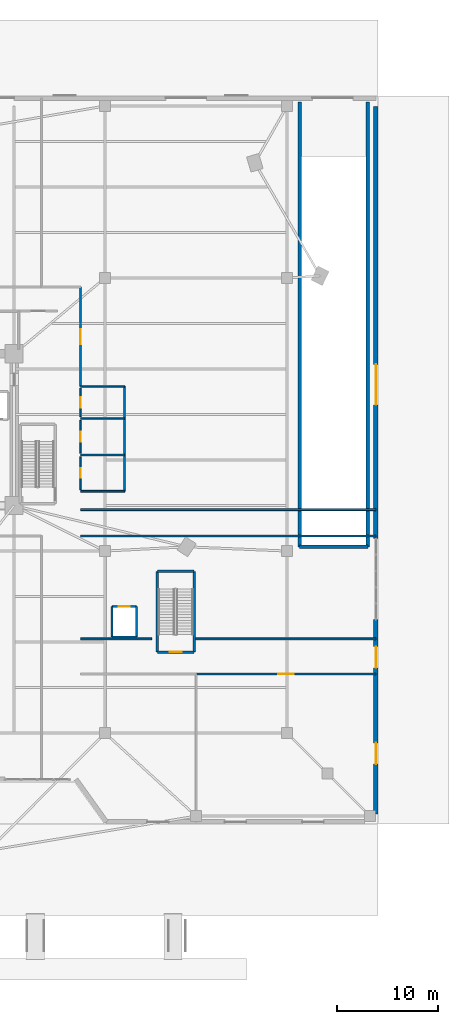
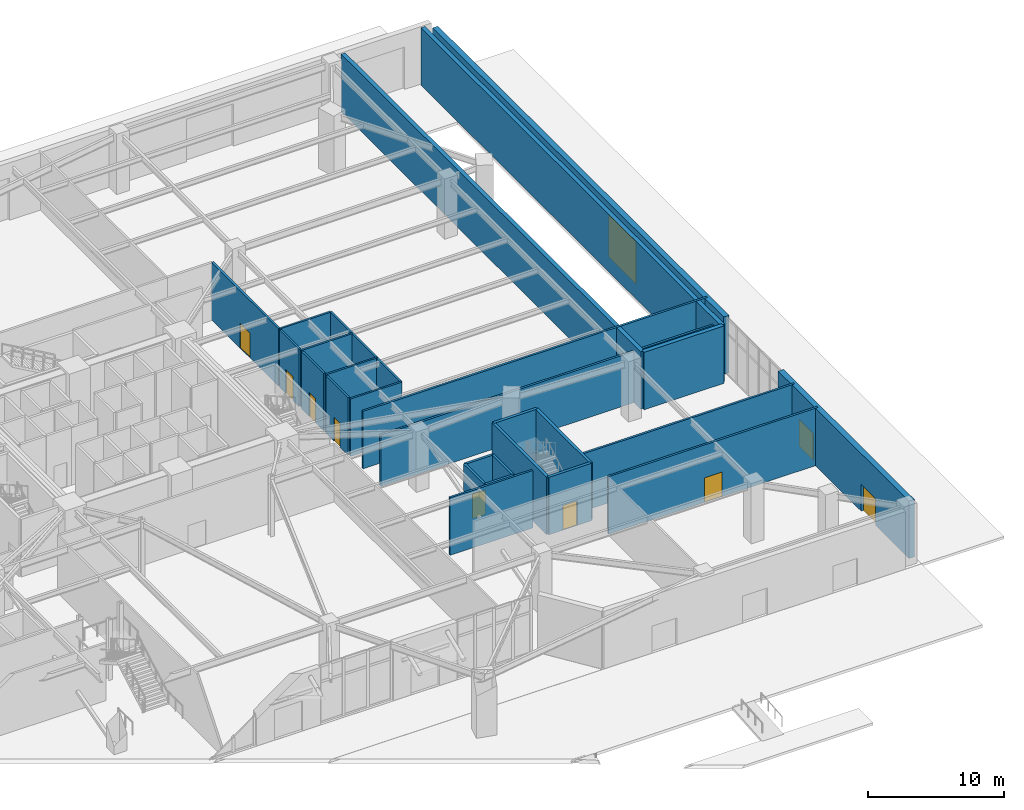
# One storey, part 20 of 30: 27 walls, 10 doors, 10 openings.
"""IFC4 building model written with IfcOpenShell, lengths in metres."""

from ifc_helpers import new_model, si_unit, direction, frame, frame_2d, origin, place, context, subcontext, project, spatial, rectangle, extrude, source, transform, mapped, material, layer, layer_set, type_object, element, fill, save


model = new_model("IFC4")

# Units and contexts
model_context = context("Model", 3, precision=1e-05, world=origin(), true_north=direction((0.0, 1.0)))
body_context = subcontext(model_context, "Body", "Model", "MODEL_VIEW")
ifc_project = project(units=[si_unit("LENGTHUNIT", "METRE"), si_unit("AREAUNIT", "SQUARE_METRE"), si_unit("VOLUMEUNIT", "CUBIC_METRE"), si_unit("PLANEANGLEUNIT", "RADIAN"), si_unit("MASSUNIT", "GRAM", prefix="KILO")], contexts=[model_context])

# Site, building, storey
site_placement = place(None, origin())
site = spatial("IfcSite", under=ifc_project, at=site_placement, CompositionType="ELEMENT")
building_placement = place(site_placement, origin())
building = spatial("IfcBuilding", under=site, at=building_placement, Name="Liaohun Quay Tower", CompositionType="ELEMENT")
storey_placement = place(building_placement, origin())
storey = spatial("IfcBuildingStorey", under=building, at=storey_placement, Name="L01", CompositionType="ELEMENT", Elevation=0.0)

# Walls
ifc_material_1 = material(Name="Concrete C50", Category="concrete")
ifc_layer_1 = layer(ifc_material_1, 0.35009765625, Name="Concrete C50", Category="concrete")
ifc_layer_set_1 = layer_set([ifc_layer_1], Name="Concrete C50")
wall_type_1 = type_object("IfcWallType", Name="WAL-COR-INT", PredefinedType="SOLIDWALL", material=ifc_layer_set_1)
wall_1_placement = place(storey_placement, frame((97.219970703125, 42.419921875, 0.0), z_axis=(0.0, 0.0, 1.0), x_axis=(0.0, 1.0, 0.0)))
element("IfcWall", 1, at=wall_1_placement, inside=storey, type_object=wall_type_1, Name="L01 Vehicle Ramp Fire Enclosure Wall W", PredefinedType="SOLIDWALL", context=body_context, shape_type="SweptSolid", body=[
    extrude(rectangle(XDim=43.97998046875, YDim=0.35009765625, at=frame_2d((21.989990234375, 0.0))), origin(), (0.0, 0.0, 1.0), 5.14990234375),
])
wall_2_placement = place(storey_placement, frame((97.219970703125, 42.419921875, 0.0), z_axis=(0.0, 0.0, 1.0), x_axis=(1.0, 0.0, 0.0)))
element("IfcWall", 2, at=wall_2_placement, inside=storey, type_object=wall_type_1, Name="L01 Vehicle Ramp Fire Enclosure Wall S", PredefinedType="SOLIDWALL", context=body_context, shape_type="SweptSolid", body=[
    extrude(rectangle(XDim=6.760009765625, YDim=0.35009765625, at=frame_2d((3.3798828125, 0.0))), origin(), (0.0, 0.0, 1.0), 5.14990234375),
])
wall_3_placement = place(storey_placement, frame((103.97998046875, 42.419921875, 0.0), z_axis=(0.0, 0.0, 1.0), x_axis=(0.0, 1.0, 0.0)))
element("IfcWall", 3, at=wall_3_placement, inside=storey, type_object=wall_type_1, Name="L01 Vehicle Ramp Fire Enclosure Wall E", PredefinedType="SOLIDWALL", context=body_context, shape_type="SweptSolid", body=[
    extrude(rectangle(XDim=43.97998046875, YDim=0.35009765625, at=frame_2d((21.989990234375, 0.0))), origin(), (0.0, 0.0, 1.0), 5.14990234375),
])

# Wall, openings, doors
ifc_material_2 = material(Name="Precast concrete C50 with granite facing", Category="masonry")
ifc_layer_2 = layer(ifc_material_2, 0.4599609375, Name="Precast concrete C50 with granite facing", Category="masonry")
ifc_layer_set_2 = layer_set([ifc_layer_2], Name="Precast concrete C50 with granite facing")
wall_type_2 = type_object("IfcWallType", Name="WAL-EXT-POD", PredefinedType="SOLIDWALL", material=ifc_layer_set_2)
wall_4_placement = place(storey_placement, frame((104.77001953125, 16.030029296875, 0.0), z_axis=(0.0, 0.0, 1.0), x_axis=(0.0, 1.0, 0.0)))
wall_4 = element("IfcWall", 4, at=wall_4_placement, inside=storey, type_object=wall_type_2, Name="L01 Podium Precast Facade Wall 5-1", PredefinedType="SOLIDWALL", context=body_context, shape_type="SweptSolid", body=[
    extrude(rectangle(XDim=19.199951171875, YDim=0.4599609375, at=frame_2d((9.60009765625, 0.0))), origin(), (0.0, 0.0, 1.0), 5.14990234375),
])
shared_shape_1 = source(origin(), body_context, "Body", "SweptSolid", [
    extrude(rectangle(XDim=2.10009765625, YDim=2.39990234375, at=frame_2d((1.050048828125, 1.199951171875))), frame((0.0, 0.239990234375, 0.0), z_axis=(0.0, -1.0, 0.0), x_axis=(1.0, 0.0, 0.0)), (0.0, 0.0, 1.0), 0.47998046875),
])
opening_1_placement = place(wall_4_placement, frame((4.919921875, 0.0, 0.0)))
opening_1 = element("IfcOpeningElement", 5, at=opening_1_placement, cuts=wall_4, Name="Opening EX", PredefinedType="OPENING", context=body_context, shape_type="MappedRepresentation", body=[
    mapped(shared_shape_1, transform((0.0, 0.0, 0.0), x_axis=(1.0, 0.0, 0.0), y_axis=(0.0, 1.0, 0.0), z_axis=(0.0, 0.0, 1.0), scale=1.0)),
])
opening_2_placement = place(wall_4_placement, frame((14.419921875, 0.0, 0.0)))
opening_2 = element("IfcOpeningElement", 6, at=opening_2_placement, cuts=wall_4, Name="Opening EX", PredefinedType="OPENING", context=body_context, shape_type="MappedRepresentation", body=[
    mapped(shared_shape_1, transform((0.0, 0.0, 0.0), x_axis=(1.0, 0.0, 0.0), y_axis=(0.0, 1.0, 0.0), z_axis=(0.0, 0.0, 1.0), scale=1.0)),
])
ifc_material_3 = material(Name="Thermally broken glazed steel", Category="steel")
door_type_1 = type_object("IfcDoorType", Name="DOR-EXIT-2100", OperationType="DOUBLE_DOOR_SINGLE_SWING", PredefinedType="DOOR", material=ifc_material_3)
shared_shape_2 = source(origin(), body_context, "Body", "SweptSolid", [
    extrude(rectangle(XDim=2.10009765625, YDim=2.39990234375, at=frame_2d((1.050048828125, 1.199951171875))), frame((0.0, 0.02490234375, 0.0), z_axis=(0.0, -1.0, 0.0), x_axis=(1.0, 0.0, 0.0)), (0.0, 0.0, 1.0), 0.050048828125),
])
door_1_placement = place(opening_1_placement, frame((2.10009765625, 0.0, 0.0), z_axis=(0.0, 0.0, 1.0), x_axis=(-1.0, 0.0, 0.0)))
door_1 = element("IfcDoor", 7, at=door_1_placement, inside=storey, type_object=door_type_1, Name="L01 East Exit Discharge Door 1", OperationType="DOUBLE_DOOR_SINGLE_SWING", OverallHeight=2.39990234375, OverallWidth=2.10009765625, PredefinedType="DOOR", context=body_context, shape_type="MappedRepresentation", body=[
    mapped(shared_shape_2, transform((0.0, 0.0, 0.0), x_axis=(1.0, 0.0, 0.0), y_axis=(0.0, 1.0, 0.0), z_axis=(0.0, 0.0, 1.0), scale=1.0)),
])
fill(opening_1, door_1)
door_2_placement = place(opening_2_placement, frame((2.10009765625, 0.0, 0.0), z_axis=(0.0, 0.0, 1.0), x_axis=(-1.0, 0.0, 0.0)))
door_2 = element("IfcDoor", 8, at=door_2_placement, inside=storey, type_object=door_type_1, Name="L01 East Exit Discharge Door 2", OperationType="DOUBLE_DOOR_SINGLE_SWING", OverallHeight=2.39990234375, OverallWidth=2.10009765625, PredefinedType="DOOR", context=body_context, shape_type="MappedRepresentation", body=[
    mapped(shared_shape_2, transform((0.0, 0.0, 0.0), x_axis=(1.0, 0.0, 0.0), y_axis=(0.0, 1.0, 0.0), z_axis=(0.0, 0.0, 1.0), scale=1.0)),
])
fill(opening_2, door_2)

# Wall, opening, door
wall_5_placement = place(storey_placement, frame((104.77001953125, 43.22998046875, 0.0), z_axis=(0.0, 0.0, 1.0), x_axis=(0.0, 1.0, 0.0)))
wall_5 = element("IfcWall", 9, at=wall_5_placement, inside=storey, type_object=wall_type_2, Name="L01 Podium Precast Facade Wall 5-2", PredefinedType="SOLIDWALL", context=body_context, shape_type="SweptSolid", body=[
    extrude(rectangle(XDim=42.739990234375, YDim=0.4599609375, at=frame_2d((21.3701171875, 0.0))), origin(), (0.0, 0.0, 1.0), 5.14990234375),
])
shared_shape_3 = source(origin(), body_context, "Body", "SweptSolid", [
    extrude(rectangle(XDim=4.0, YDim=3.800048828125, at=frame_2d((2.0, 1.89990234375))), frame((0.0, 0.239990234375, 0.0), z_axis=(0.0, -1.0, 0.0), x_axis=(1.0, 0.0, 0.0)), (0.0, 0.0, 1.0), 0.47998046875),
])
opening_3_placement = place(wall_5_placement, frame((13.22998046875, 0.0, 0.0)))
opening_3 = element("IfcOpeningElement", 10, at=opening_3_placement, cuts=wall_5, Name="Opening GD1", PredefinedType="OPENING", context=body_context, shape_type="MappedRepresentation", body=[
    mapped(shared_shape_3, transform((0.0, 0.0, 0.0), x_axis=(1.0, 0.0, 0.0), y_axis=(0.0, 1.0, 0.0), z_axis=(0.0, 0.0, 1.0), scale=1.0)),
])
ifc_material_4 = material(Name="Insulated motorised steel roller shutter", Category="steel")
door_type_2 = type_object("IfcDoorType", Name="DOR-LDK-4000", OperationType="ROLLINGUP", PredefinedType="GATE", material=ifc_material_4)
shared_shape_4 = source(origin(), body_context, "Body", "SweptSolid", [
    extrude(rectangle(XDim=4.0, YDim=3.800048828125, at=frame_2d((2.0, 1.89990234375))), frame((0.0, 0.02490234375, 0.0), z_axis=(0.0, -1.0, 0.0), x_axis=(1.0, 0.0, 0.0)), (0.0, 0.0, 1.0), 0.050048828125),
])
door_3_placement = place(opening_3_placement, origin())
door_3 = element("IfcDoor", 11, at=door_3_placement, inside=storey, type_object=door_type_2, Name="L01 Enclosed Loading Bay Roller Shutter Gate", OperationType="ROLLINGUP", OverallHeight=3.800048828125, OverallWidth=4.0, PredefinedType="GATE", context=body_context, shape_type="MappedRepresentation", body=[
    mapped(shared_shape_4, transform((0.0, 0.0, 0.0), x_axis=(1.0, 0.0, 0.0), y_axis=(0.0, 1.0, 0.0), z_axis=(0.0, 0.0, 1.0), scale=1.0)),
])
fill(opening_3, door_3)

ifc_material_5 = material(Name="Autoclaved aerated concrete blockwork", Category="masonry")
ifc_layer_3 = layer(ifc_material_5, 0.179931640625, Name="Autoclaved aerated concrete blockwork", Category="masonry")
ifc_layer_set_3 = layer_set([ifc_layer_3], Name="Autoclaved aerated concrete blockwork")
wall_type_3 = type_object("IfcWallType", Name="WAL-PRT-COR", PredefinedType="PARTITIONING", material=ifc_layer_set_3)
wall_6_placement = place(storey_placement, frame((87.0, 29.85009765625, 0.0), z_axis=(0.0, 0.0, 1.0), x_axis=(1.0, 0.0, 0.0)))
wall_6 = element("IfcWall", 12, at=wall_6_placement, inside=storey, type_object=wall_type_3, Name="L01 Interior Partition Wall 012", PredefinedType="PARTITIONING", context=body_context, shape_type="SweptSolid", body=[
    extrude(rectangle(XDim=17.77490234375, YDim=0.179931640625, at=frame_2d((8.887451171875, 0.0))), origin(), (0.0, 0.0, 1.0), 5.14990234375),
])
shared_shape_5 = source(origin(), body_context, "Body", "SweptSolid", [
    extrude(rectangle(XDim=1.5, YDim=2.199951171875, at=frame_2d((0.75, 1.10009765625))), frame((0.0, 0.099853515625, 0.0), z_axis=(0.0, -1.0, 0.0), x_axis=(1.0, 0.0, 0.0)), (0.0, 0.0, 1.0), 0.199951171875),
])
opening_4_placement = place(wall_6_placement, frame((8.137939453125, 0.0, 0.0)))
opening_4 = element("IfcOpeningElement", 13, at=opening_4_placement, cuts=wall_6, Name="Opening OD2", PredefinedType="OPENING", context=body_context, shape_type="MappedRepresentation", body=[
    mapped(shared_shape_5, transform((0.0, 0.0, 0.0), x_axis=(1.0, 0.0, 0.0), y_axis=(0.0, 1.0, 0.0), z_axis=(0.0, 0.0, 1.0), scale=1.0)),
])
ifc_material_6 = material(Name="Acoustic oak veneer double door")
door_type_3 = type_object("IfcDoorType", Name="DOR-OFF-1500", OperationType="DOUBLE_DOOR_SINGLE_SWING", PredefinedType="DOOR", material=ifc_material_6)
shared_shape_6 = source(origin(), body_context, "Body", "SweptSolid", [
    extrude(rectangle(XDim=1.5, YDim=2.199951171875, at=frame_2d((0.75, 1.10009765625))), frame((0.0, 0.02490234375, 0.0), z_axis=(0.0, -1.0, 0.0), x_axis=(1.0, 0.0, 0.0)), (0.0, 0.0, 1.0), 0.050048828125),
])
door_4_placement = place(opening_4_placement, origin())
door_4 = element("IfcDoor", 14, at=door_4_placement, inside=storey, type_object=door_type_3, Name="L01 Riverfront Retail Showroom East Door", OperationType="DOUBLE_DOOR_SINGLE_SWING", OverallHeight=2.199951171875, OverallWidth=1.5, PredefinedType="DOOR", context=body_context, shape_type="MappedRepresentation", body=[
    mapped(shared_shape_6, transform((0.0, 0.0, 0.0), x_axis=(1.0, 0.0, 0.0), y_axis=(0.0, 1.0, 0.0), z_axis=(0.0, 0.0, 1.0), scale=1.0)),
])
fill(opening_4, door_4)

wall_7_placement = place(storey_placement, frame((75.580078125, 58.280029296875, 0.0), z_axis=(0.0, 0.0, 1.0), x_axis=(0.0, 1.0, 0.0)))
wall_7 = element("IfcWall", 15, at=wall_7_placement, inside=storey, type_object=wall_type_3, Name="L01 Interior Partition Wall 014", PredefinedType="PARTITIONING", context=body_context, shape_type="SweptSolid", body=[
    extrude(rectangle(XDim=9.820068359375, YDim=0.179931640625, at=frame_2d((4.91015625, 0.0))), origin(), (0.0, 0.0, 1.0), 5.14990234375),
])
opening_5_placement = place(wall_7_placement, frame((4.159912109375, 0.0, 0.0)))
opening_5 = element("IfcOpeningElement", 16, at=opening_5_placement, cuts=wall_7, Name="Opening OD2", PredefinedType="OPENING", context=body_context, shape_type="MappedRepresentation", body=[
    mapped(shared_shape_5, transform((0.0, 0.0, 0.0), x_axis=(1.0, 0.0, 0.0), y_axis=(0.0, 1.0, 0.0), z_axis=(0.0, 0.0, 1.0), scale=1.0)),
])
door_5_placement = place(opening_5_placement, origin())
door_5 = element("IfcDoor", 17, at=door_5_placement, inside=storey, type_object=door_type_3, Name="L01 Observation Shuttle Ticketing Foyer Door", OperationType="DOUBLE_DOOR_SINGLE_SWING", OverallHeight=2.199951171875, OverallWidth=1.5, PredefinedType="DOOR", context=body_context, shape_type="MappedRepresentation", body=[
    mapped(shared_shape_6, transform((0.0, 0.0, 0.0), x_axis=(1.0, 0.0, 0.0), y_axis=(0.0, 1.0, 0.0), z_axis=(0.0, 0.0, 1.0), scale=1.0)),
])
fill(opening_5, door_5)

# Walls
wall_8_placement = place(storey_placement, frame((75.580078125, 46.10009765625, 0.0), z_axis=(0.0, 0.0, 1.0), x_axis=(1.0, 0.0, 0.0)))
element("IfcWall", 18, at=wall_8_placement, inside=storey, type_object=wall_type_3, Name="L01 Interior Partition Wall 025", PredefinedType="PARTITIONING", context=body_context, shape_type="SweptSolid", body=[
    extrude(rectangle(XDim=29.19482421875, YDim=0.179931640625, at=frame_2d((14.597412109375, 0.0))), origin(), (0.0, 0.0, 1.0), 5.14990234375),
])
wall_9_placement = place(storey_placement, frame((75.580078125, 43.5, 0.0), z_axis=(0.0, 0.0, 1.0), x_axis=(1.0, 0.0, 0.0)))
element("IfcWall", 19, at=wall_9_placement, inside=storey, type_object=wall_type_3, Name="L01 Interior Partition Wall 032", PredefinedType="PARTITIONING", context=body_context, shape_type="SweptSolid", body=[
    extrude(rectangle(XDim=29.19482421875, YDim=0.179931640625, at=frame_2d((14.597412109375, 0.0))), origin(), (0.0, 0.0, 1.0), 4.5849609375),
])
wall_10_placement = place(storey_placement, frame((75.580078125, 33.320068359375, 0.0), z_axis=(0.0, 0.0, 1.0), x_axis=(1.0, 0.0, 0.0)))
element("IfcWall", 20, at=wall_10_placement, inside=storey, type_object=wall_type_3, Name="L01 Interior Partition Wall 037", PredefinedType="PARTITIONING", context=body_context, shape_type="SweptSolid", body=[
    extrude(rectangle(XDim=7.02001953125, YDim=0.179931640625, at=frame_2d((3.510009765625, 0.0))), origin(), (0.0, 0.0, 1.0), 5.14990234375),
])
wall_11_placement = place(storey_placement, frame((86.699951171875, 33.320068359375, 0.0), z_axis=(0.0, 0.0, 1.0), x_axis=(1.0, 0.0, 0.0)))
element("IfcWall", 21, at=wall_11_placement, inside=storey, type_object=wall_type_3, Name="L01 Interior Partition Wall 038", PredefinedType="PARTITIONING", context=body_context, shape_type="SweptSolid", body=[
    extrude(rectangle(XDim=18.074951171875, YDim=0.179931640625, at=frame_2d((9.03759765625, 0.0))), origin(), (0.0, 0.0, 1.0), 5.14990234375),
])

# Wall, opening, door
ifc_material_7 = material(Name="Moisture-resistant masonry blockwork", Category="masonry")
ifc_layer_4 = layer(ifc_material_7, 0.159912109375, Name="Moisture-resistant masonry blockwork", Category="masonry")
ifc_layer_set_4 = layer_set([ifc_layer_4], Name="Moisture-resistant masonry blockwork")
wall_type_4 = type_object("IfcWallType", Name="WAL-PRT-WET", PredefinedType="PARTITIONING", material=ifc_layer_set_4)
wall_12_placement = place(storey_placement, frame((75.580078125, 48.080078125, 0.0), z_axis=(0.0, 0.0, 1.0), x_axis=(0.0, 1.0, 0.0)))
wall_12 = element("IfcWall", 22, at=wall_12_placement, inside=storey, type_object=wall_type_4, Name="L01 Interior Partition Wall 002", PredefinedType="PARTITIONING", context=body_context, shape_type="SweptSolid", body=[
    extrude(rectangle(XDim=3.239990234375, YDim=0.159912109375, at=frame_2d((1.6201171875, 0.0))), origin(), (0.0, 0.0, 1.0), 5.14990234375),
])
shared_shape_7 = source(origin(), body_context, "Body", "SweptSolid", [
    extrude(rectangle(XDim=0.949951171875, YDim=2.14990234375, at=frame_2d((0.47509765625, 1.074951171875))), frame((0.0, 0.08984375, 0.0), z_axis=(0.0, -1.0, 0.0), x_axis=(1.0, 0.0, 0.0)), (0.0, 0.0, 1.0), 0.179931640625),
])
opening_6_placement = place(wall_12_placement, frame((1.14501953125, 0.0, 0.0)))
opening_6 = element("IfcOpeningElement", 23, at=opening_6_placement, cuts=wall_12, Name="Opening WD1", PredefinedType="OPENING", context=body_context, shape_type="MappedRepresentation", body=[
    mapped(shared_shape_7, transform((0.0, 0.0, 0.0), x_axis=(1.0, 0.0, 0.0), y_axis=(0.0, 1.0, 0.0), z_axis=(0.0, 0.0, 1.0), scale=1.0)),
])
ifc_material_8 = material(Name="Moisture-resistant laminate timber leaf", Category="wood")
door_type_4 = type_object("IfcDoorType", Name="DOR-WC-950", OperationType="NOTDEFINED", PredefinedType="DOOR", material=ifc_material_8)
shared_shape_8 = source(origin(), body_context, "Body", "SweptSolid", [
    extrude(rectangle(XDim=0.949951171875, YDim=2.14990234375, at=frame_2d((0.47509765625, 1.074951171875))), frame((0.0, 0.02490234375, 0.0), z_axis=(0.0, -1.0, 0.0), x_axis=(1.0, 0.0, 0.0)), (0.0, 0.0, 1.0), 0.050048828125),
])
door_6_placement = place(opening_6_placement, origin())
door_6 = element("IfcDoor", 24, at=door_6_placement, inside=storey, type_object=door_type_4, Name="L01 Podium Male Restroom WC Door", OperationType="SINGLE_SWING_LEFT", OverallHeight=2.14990234375, OverallWidth=0.949951171875, PredefinedType="DOOR", context=body_context, shape_type="MappedRepresentation", body=[
    mapped(shared_shape_8, transform((0.0, 0.0, 0.0), x_axis=(1.0, 0.0, 0.0), y_axis=(0.0, 1.0, 0.0), z_axis=(0.0, 0.0, 1.0), scale=1.0)),
])
fill(opening_6, door_6)

wall_13_placement = place(storey_placement, frame((75.580078125, 51.679931640625, 0.0), z_axis=(0.0, 0.0, 1.0), x_axis=(0.0, 1.0, 0.0)))
wall_13 = element("IfcWall", 25, at=wall_13_placement, inside=storey, type_object=wall_type_4, Name="L01 Interior Partition Wall 003", PredefinedType="PARTITIONING", context=body_context, shape_type="SweptSolid", body=[
    extrude(rectangle(XDim=3.239990234375, YDim=0.159912109375, at=frame_2d((1.6201171875, 0.0))), origin(), (0.0, 0.0, 1.0), 5.14990234375),
])
opening_7_placement = place(wall_13_placement, frame((1.14501953125, 0.0, 0.0)))
opening_7 = element("IfcOpeningElement", 26, at=opening_7_placement, cuts=wall_13, Name="Opening WD1", PredefinedType="OPENING", context=body_context, shape_type="MappedRepresentation", body=[
    mapped(shared_shape_7, transform((0.0, 0.0, 0.0), x_axis=(1.0, 0.0, 0.0), y_axis=(0.0, 1.0, 0.0), z_axis=(0.0, 0.0, 1.0), scale=1.0)),
])
door_7_placement = place(opening_7_placement, origin())
door_7 = element("IfcDoor", 27, at=door_7_placement, inside=storey, type_object=door_type_4, Name="L01 Podium Female Restroom WC Door", OperationType="SINGLE_SWING_RIGHT", OverallHeight=2.14990234375, OverallWidth=0.949951171875, PredefinedType="DOOR", context=body_context, shape_type="MappedRepresentation", body=[
    mapped(shared_shape_8, transform((0.0, 0.0, 0.0), x_axis=(1.0, 0.0, 0.0), y_axis=(0.0, 1.0, 0.0), z_axis=(0.0, 0.0, 1.0), scale=1.0)),
])
fill(opening_7, door_7)

wall_14_placement = place(storey_placement, frame((75.580078125, 55.280029296875, 0.0), z_axis=(0.0, 0.0, 1.0), x_axis=(0.0, 1.0, 0.0)))
wall_14 = element("IfcWall", 28, at=wall_14_placement, inside=storey, type_object=wall_type_4, Name="L01 Interior Partition Wall 004", PredefinedType="PARTITIONING", context=body_context, shape_type="SweptSolid", body=[
    extrude(rectangle(XDim=2.840087890625, YDim=0.159912109375, at=frame_2d((1.419921875, 0.0))), origin(), (0.0, 0.0, 1.0), 5.14990234375),
])
shared_shape_9 = source(origin(), body_context, "Body", "SweptSolid", [
    extrude(rectangle(XDim=1.050048828125, YDim=2.14990234375, at=frame_2d((0.52490234375, 1.074951171875))), frame((0.0, 0.08984375, 0.0), z_axis=(0.0, -1.0, 0.0), x_axis=(1.0, 0.0, 0.0)), (0.0, 0.0, 1.0), 0.179931640625),
])
opening_8_placement = place(wall_14_placement, frame((0.89501953125, 0.0, 0.0)))
opening_8 = element("IfcOpeningElement", 29, at=opening_8_placement, cuts=wall_14, Name="Opening WD2", PredefinedType="OPENING", context=body_context, shape_type="MappedRepresentation", body=[
    mapped(shared_shape_9, transform((0.0, 0.0, 0.0), x_axis=(1.0, 0.0, 0.0), y_axis=(0.0, 1.0, 0.0), z_axis=(0.0, 0.0, 1.0), scale=1.0)),
])
ifc_material_9 = material(Name="Accessible outward-swinging laminate door")
door_type_5 = type_object("IfcDoorType", Name="DOR-AWC-1050", OperationType="NOTDEFINED", PredefinedType="DOOR", material=ifc_material_9)
shared_shape_10 = source(origin(), body_context, "Body", "SweptSolid", [
    extrude(rectangle(XDim=1.050048828125, YDim=2.14990234375, at=frame_2d((0.52490234375, 1.074951171875))), frame((0.0, 0.02490234375, 0.0), z_axis=(0.0, -1.0, 0.0), x_axis=(1.0, 0.0, 0.0)), (0.0, 0.0, 1.0), 0.050048828125),
])
door_8_placement = place(opening_8_placement, origin())
door_8 = element("IfcDoor", 30, at=door_8_placement, inside=storey, type_object=door_type_5, Name="L01 Podium Accessible WC Door", OperationType="SINGLE_SWING_LEFT", OverallHeight=2.14990234375, OverallWidth=1.050048828125, PredefinedType="DOOR", context=body_context, shape_type="MappedRepresentation", body=[
    mapped(shared_shape_10, transform((0.0, 0.0, 0.0), x_axis=(1.0, 0.0, 0.0), y_axis=(0.0, 1.0, 0.0), z_axis=(0.0, 0.0, 1.0), scale=1.0)),
])
fill(opening_8, door_8)

# Walls
wall_15_placement = place(storey_placement, frame((79.919921875, 47.919921875, 0.0), z_axis=(0.0, 0.0, 1.0), x_axis=(0.0, 1.0, 0.0)))
element("IfcWall", 31, at=wall_15_placement, inside=storey, type_object=wall_type_4, Name="L01 Interior Partition Wall 019", PredefinedType="PARTITIONING", context=body_context, shape_type="SweptSolid", body=[
    extrude(rectangle(XDim=10.360107421875, YDim=0.159912109375, at=frame_2d((5.18017578125, 0.0))), origin(), (0.0, 0.0, 1.0), 5.14990234375),
])
for number, where, z_axis, x_axis, name in (
    (32, (75.580078125, 47.919921875, 0.0), (0.0, 0.0, 1.0), (1.0, 0.0, 0.0), "L01 Interior Partition Wall 020"),
    (33, (75.580078125, 51.5, 0.0), (0.0, 0.0, 1.0), (1.0, 0.0, 0.0), "L01 Interior Partition Wall 021"),
    (34, (75.580078125, 55.10009765625, 0.0), (0.0, 0.0, 1.0), (1.0, 0.0, 0.0), "L01 Interior Partition Wall 022"),
    (35, (75.580078125, 58.280029296875, 0.0), (0.0, 0.0, 1.0), (1.0, 0.0, 0.0), "L01 Interior Partition Wall 023"),
):
    element("IfcWall", number, at=place(storey_placement, frame(where, z_axis=z_axis, x_axis=x_axis)), inside=storey, type_object=wall_type_4, Name=name, PredefinedType="PARTITIONING", context=body_context, shape_type="SweptSolid", body=[
        extrude(rectangle(XDim=4.33984375, YDim=0.159912109375, at=frame_2d((2.169921875, 0.0))), origin(), (0.0, 0.0, 1.0), 5.14990234375),
    ])

# Wall, opening, door
ifc_layer_5 = layer(ifc_material_1, 0.239990234375, Name="Concrete C50", Category="concrete")
ifc_layer_set_5 = layer_set([ifc_layer_5], Name="Concrete C50")
wall_type_5 = type_object("IfcWallType", Name="WAL-SHF-200", PredefinedType="SOLIDWALL", material=ifc_layer_set_5)
wall_16_placement = place(storey_placement, frame((83.159912109375, 32.0, 0.0), z_axis=(0.0, 0.0, 1.0), x_axis=(1.0, 0.0, 0.0)))
wall_16 = element("IfcWall", 36, at=wall_16_placement, inside=storey, type_object=wall_type_5, Name="L01 Stairwell ST-P2 Structural Core Wall S", PredefinedType="SOLIDWALL", context=body_context, shape_type="SweptSolid", body=[
    extrude(rectangle(XDim=3.64013671875, YDim=0.239990234375, at=frame_2d((1.820068359375, 0.0))), origin(), (0.0, 0.0, 1.0), 5.14990234375),
])
shared_shape_11 = source(origin(), body_context, "Body", "SweptSolid", [
    extrude(rectangle(XDim=1.199951171875, YDim=2.199951171875, at=frame_2d((0.60009765625, 1.10009765625))), frame((0.0, 0.1298828125, 0.0), z_axis=(0.0, -1.0, 0.0), x_axis=(1.0, 0.0, 0.0)), (0.0, 0.0, 1.0), 0.260009765625),
])
opening_9_placement = place(wall_16_placement, frame((1.219970703125, 0.0, 0.0)))
opening_9 = element("IfcOpeningElement", 37, at=opening_9_placement, cuts=wall_16, Name="Opening SD1", PredefinedType="OPENING", context=body_context, shape_type="MappedRepresentation", body=[
    mapped(shared_shape_11, transform((0.0, 0.0, 0.0), x_axis=(1.0, 0.0, 0.0), y_axis=(0.0, 1.0, 0.0), z_axis=(0.0, 0.0, 1.0), scale=1.0)),
])
ifc_material_10 = material(Name="Galvanised steel fire door", Category="steel")
door_type_6 = type_object("IfcDoorType", Name="DOR-STR-1200", OperationType="NOTDEFINED", PredefinedType="DOOR", material=ifc_material_10)
shared_shape_12 = source(origin(), body_context, "Body", "SweptSolid", [
    extrude(rectangle(XDim=1.199951171875, YDim=2.199951171875, at=frame_2d((0.60009765625, 1.10009765625))), frame((0.0, 0.02490234375, 0.0), z_axis=(0.0, -1.0, 0.0), x_axis=(1.0, 0.0, 0.0)), (0.0, 0.0, 1.0), 0.050048828125),
])
door_9_placement = place(opening_9_placement, origin())
door_9 = element("IfcDoor", 38, at=door_9_placement, inside=storey, type_object=door_type_6, Name="L01 Protected Stair ST-P2 Fire Door", OperationType="SINGLE_SWING_RIGHT", OverallHeight=2.199951171875, OverallWidth=1.199951171875, PredefinedType="DOOR", context=body_context, shape_type="MappedRepresentation", body=[
    mapped(shared_shape_12, transform((0.0, 0.0, 0.0), x_axis=(1.0, 0.0, 0.0), y_axis=(0.0, 1.0, 0.0), z_axis=(0.0, 0.0, 1.0), scale=1.0)),
])
fill(opening_9, door_9)

# Walls
wall_17_placement = place(storey_placement, frame((86.800048828125, 32.0, 0.0), z_axis=(0.0, 0.0, 1.0), x_axis=(0.0, 1.0, 0.0)))
element("IfcWall", 39, at=wall_17_placement, inside=storey, type_object=wall_type_5, Name="L01 Stairwell ST-P2 Structural Core Wall E", PredefinedType="SOLIDWALL", context=body_context, shape_type="SweptSolid", body=[
    extrude(rectangle(XDim=8.0, YDim=0.239990234375, at=frame_2d((4.0, 0.0))), origin(), (0.0, 0.0, 1.0), 5.14990234375),
])
wall_18_placement = place(storey_placement, frame((86.800048828125, 40.0, 0.0), z_axis=(0.0, 0.0, 1.0), x_axis=(-1.0, 0.0, 0.0)))
element("IfcWall", 40, at=wall_18_placement, inside=storey, type_object=wall_type_5, Name="L01 Stairwell ST-P2 Structural Core Wall N", PredefinedType="SOLIDWALL", context=body_context, shape_type="SweptSolid", body=[
    extrude(rectangle(XDim=3.64013671875, YDim=0.239990234375, at=frame_2d((1.820068359375, 0.0))), origin(), (0.0, 0.0, 1.0), 5.14990234375),
])
wall_19_placement = place(storey_placement, frame((83.159912109375, 40.0, 0.0), z_axis=(0.0, 0.0, 1.0), x_axis=(0.0, -1.0, 0.0)))
element("IfcWall", 41, at=wall_19_placement, inside=storey, type_object=wall_type_5, Name="L01 Stairwell ST-P2 Structural Core Wall W", PredefinedType="SOLIDWALL", context=body_context, shape_type="SweptSolid", body=[
    extrude(rectangle(XDim=8.0, YDim=0.239990234375, at=frame_2d((4.0, 0.0))), origin(), (0.0, 0.0, 1.0), 5.14990234375),
])
wall_20_placement = place(storey_placement, frame((78.699951171875, 33.5, 0.0), z_axis=(0.0, 0.0, 1.0), x_axis=(1.0, 0.0, 0.0)))
element("IfcWall", 42, at=wall_20_placement, inside=storey, type_object=wall_type_5, Name="L01 Lift PD-02 Hoistway Wall S", PredefinedType="SOLIDWALL", context=body_context, shape_type="SweptSolid", body=[
    extrude(rectangle(XDim=2.400146484375, YDim=0.199951171875, at=frame_2d((1.2001953125, 0.0))), origin(), (0.0, 0.0, 1.0), 5.14990234375),
])
wall_21_placement = place(storey_placement, frame((81.10009765625, 33.5, 0.0), z_axis=(0.0, 0.0, 1.0), x_axis=(0.0, 1.0, 0.0)))
element("IfcWall", 43, at=wall_21_placement, inside=storey, type_object=wall_type_5, Name="L01 Lift PD-02 Hoistway Wall E", PredefinedType="SOLIDWALL", context=body_context, shape_type="SweptSolid", body=[
    extrude(rectangle(XDim=3.0, YDim=0.199951171875, at=frame_2d((1.5, 0.0))), origin(), (0.0, 0.0, 1.0), 5.14990234375),
])

# Wall, opening, door
wall_22_placement = place(storey_placement, frame((81.10009765625, 36.5, 0.0), z_axis=(0.0, 0.0, 1.0), x_axis=(-1.0, 0.0, 0.0)))
wall_22 = element("IfcWall", 44, at=wall_22_placement, inside=storey, type_object=wall_type_5, Name="L01 Lift PD-02 Hoistway Wall N", PredefinedType="SOLIDWALL", context=body_context, shape_type="SweptSolid", body=[
    extrude(rectangle(XDim=2.400146484375, YDim=0.199951171875, at=frame_2d((1.2001953125, 0.0))), origin(), (0.0, 0.0, 1.0), 5.14990234375),
])
shared_shape_13 = source(origin(), body_context, "Body", "SweptSolid", [
    extrude(rectangle(XDim=1.10009765625, YDim=2.199951171875, at=frame_2d((0.550048828125, 1.10009765625))), frame((0.0, 0.10986328125, 0.0), z_axis=(0.0, -1.0, 0.0), x_axis=(1.0, 0.0, 0.0)), (0.0, 0.0, 1.0), 0.219970703125),
])
opening_10_placement = place(wall_22_placement, frame((0.64990234375, 0.0, 0.0)))
opening_10 = element("IfcOpeningElement", 45, at=opening_10_placement, cuts=wall_22, Name="Opening LD1", PredefinedType="OPENING", context=body_context, shape_type="MappedRepresentation", body=[
    mapped(shared_shape_13, transform((0.0, 0.0, 0.0), x_axis=(1.0, 0.0, 0.0), y_axis=(0.0, 1.0, 0.0), z_axis=(0.0, 0.0, 1.0), scale=1.0)),
])
ifc_material_11 = material(Name="Brushed stainless steel landing door", Category="steel")
door_type_7 = type_object("IfcDoorType", Name="DOR-LFT-1100", OperationType="SLIDING_TO_LEFT", PredefinedType="DOOR", material=ifc_material_11)
shared_shape_14 = source(origin(), body_context, "Body", "SweptSolid", [
    extrude(rectangle(XDim=1.10009765625, YDim=2.199951171875, at=frame_2d((0.550048828125, 1.10009765625))), frame((0.0, 0.02490234375, 0.0), z_axis=(0.0, -1.0, 0.0), x_axis=(1.0, 0.0, 0.0)), (0.0, 0.0, 1.0), 0.050048828125),
])
door_10_placement = place(opening_10_placement, origin())
door_10 = element("IfcDoor", 46, at=door_10_placement, inside=storey, type_object=door_type_7, Name="L01 Lift PD-02 Sliding Landing Door", OperationType="SLIDING_TO_LEFT", OverallHeight=2.199951171875, OverallWidth=1.10009765625, PredefinedType="DOOR", context=body_context, shape_type="MappedRepresentation", body=[
    mapped(shared_shape_14, transform((0.0, 0.0, 0.0), x_axis=(1.0, 0.0, 0.0), y_axis=(0.0, 1.0, 0.0), z_axis=(0.0, 0.0, 1.0), scale=1.0)),
])
fill(opening_10, door_10)

# Wall
wall_23_placement = place(storey_placement, frame((78.699951171875, 36.5, 0.0), z_axis=(0.0, 0.0, 1.0), x_axis=(0.0, -1.0, 0.0)))
element("IfcWall", 47, at=wall_23_placement, inside=storey, type_object=wall_type_5, Name="L01 Lift PD-02 Hoistway Wall W", PredefinedType="SOLIDWALL", context=body_context, shape_type="SweptSolid", body=[
    extrude(rectangle(XDim=3.0, YDim=0.199951171875, at=frame_2d((1.5, 0.0))), origin(), (0.0, 0.0, 1.0), 5.14990234375),
])

save(model, "model.ifc")
